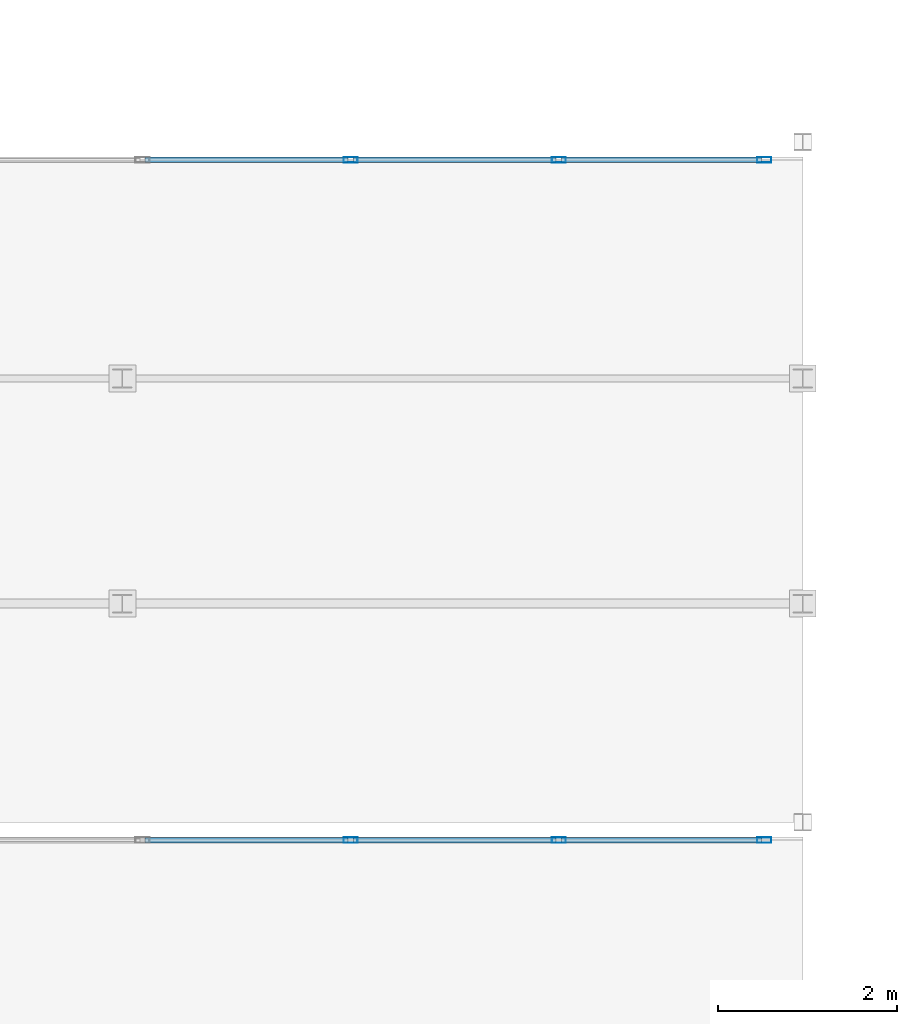
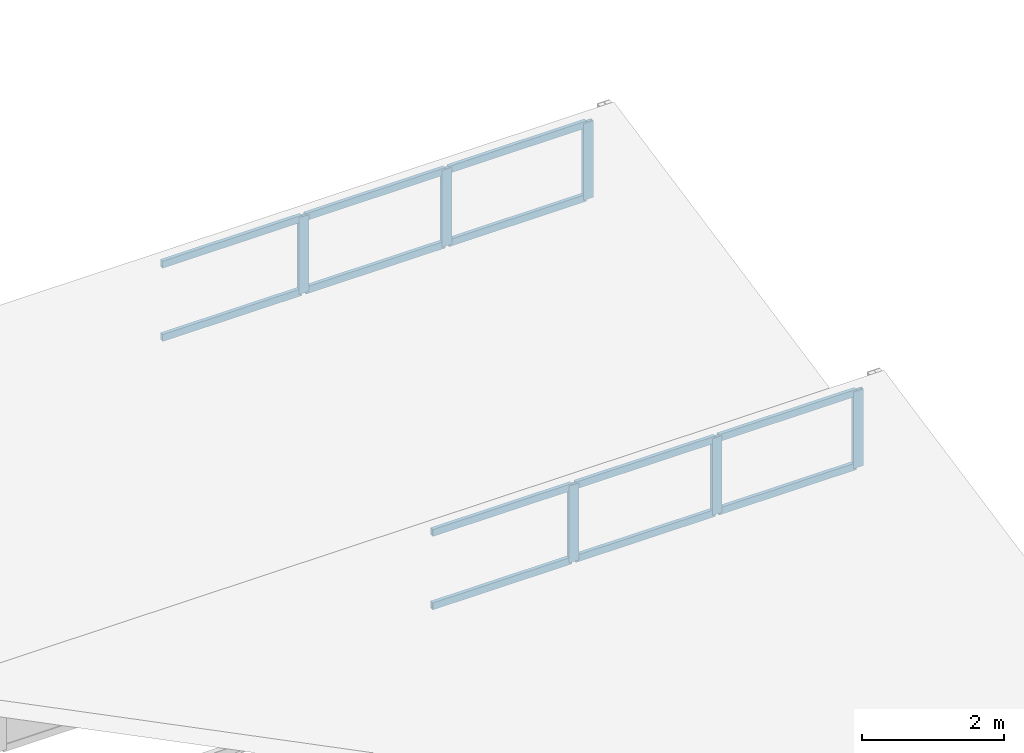
# One storey, part 26 of 114: 18 members, 2 elements without a shape of their own.
"""IFC4 building model written with IfcOpenShell, lengths in metres."""

import ifcopenshell
import ifcopenshell.guid

model = None  # the IFC model being written
_history = None  # IfcOwnerHistory: only IFC2X3 demands one
_inside = {}  # id of a spatial element -> (the spatial element, [elements in it])
_under = {}  # id of a project, library or spatial element -> (it, [spatial elements below it])
_declared = {}  # id of a project -> (the project, [libraries it declares])
_typed = {}  # id of a type object -> (the type object, [elements of that type])
_made_of = {}  # id of a material, layer set ... -> (it, [elements and type objects made of it])


def new_model(schema):
    """Start an empty IFC model of exactly this schema.

    Asked for "IFC4X3", IfcOpenShell would pick the latest addendum, in which some entities
    have other attributes; the version numbers below select the first issue.
    IFC2X3 requires an IfcOwnerHistory on every rooted entity: one is made here for all.
    """
    global model, _history
    if schema == "IFC4X3":
        model = ifcopenshell.file(schema_version=(4, 3, 0, 0))
    else:
        model = ifcopenshell.file(schema=schema)
    _inside.clear()
    _under.clear()
    _declared.clear()
    _typed.clear()
    _made_of.clear()
    _history = None
    if model.schema == "IFC2X3":
        org = make("IfcOrganization", Name="unknown")
        user = make(
            "IfcPersonAndOrganization",
            ThePerson=make("IfcPerson", FamilyName="unknown"),
            TheOrganization=org,
        )
        app = make(
            "IfcApplication",
            ApplicationDeveloper=org,
            Version="unknown",
            ApplicationFullName="unknown",
            ApplicationIdentifier="unknown",
        )
        _history = make(
            "IfcOwnerHistory",
            OwningUser=user,
            OwningApplication=app,
            ChangeAction="ADDED",
            CreationDate=0,
        )
    return model


def make(cls, **values):
    """One entity of the class cls with the attributes given. An attribute that is None is left unset."""
    return model.create_entity(
        cls, **{name: value for name, value in values.items() if value is not None}
    )


def rooted(cls, **values):
    """An entity with a GlobalId (a new one), such as an element, a storey or a relation."""
    return make(cls, GlobalId=ifcopenshell.guid.new(), OwnerHistory=_history, **values)


def si_unit(unit_type, name, prefix=None):
    """IfcSIUnit, for example si_unit("LENGTHUNIT", "METRE", prefix="MILLI")."""
    return make("IfcSIUnit", UnitType=unit_type, Prefix=prefix, Name=name)


def assignment(units):
    """IfcUnitAssignment: the units of a project."""
    return None if units is None else make("IfcUnitAssignment", Units=units)


def point(xyz):
    """IfcCartesianPoint."""
    return None if xyz is None else make("IfcCartesianPoint", Coordinates=xyz)


def direction(xyz):
    """IfcDirection."""
    return None if xyz is None else make("IfcDirection", DirectionRatios=xyz)


def frame(location, z_axis=None, x_axis=None):
    """IfcAxis2Placement3D, a coordinate frame: its origin and axes. An axis left out is left unset."""
    return make(
        "IfcAxis2Placement3D",
        Location=point(location),
        Axis=direction(z_axis),
        RefDirection=direction(x_axis),
    )


def frame_2d(location, x_axis=None):
    """IfcAxis2Placement2D, a coordinate frame in the plane: its origin and x axis."""
    return make(
        "IfcAxis2Placement2D", Location=point(location), RefDirection=direction(x_axis)
    )


def origin():
    """The frame at (0, 0, 0) with its axes left unset."""
    return frame((0.0, 0.0, 0.0))


def origin_2d():
    """The frame at (0, 0) in the plane with its x axis left unset."""
    return frame_2d((0.0, 0.0))


def place(relative_to, where):
    """IfcLocalPlacement: puts the frame where relative to a parent placement (None: the world)."""
    return make(
        "IfcLocalPlacement", PlacementRelTo=relative_to, RelativePlacement=where
    )


def context(
    kind, dimensions, precision=None, world=None, true_north=None, identifier=None
):
    """IfcGeometricRepresentationContext, for example the 3D "Model" context."""
    return make(
        "IfcGeometricRepresentationContext",
        ContextIdentifier=identifier,
        ContextType=kind,
        CoordinateSpaceDimension=dimensions,
        Precision=precision,
        WorldCoordinateSystem=world,
        TrueNorth=true_north,
    )


def subcontext(parent, identifier, kind, view, scale=None):
    """IfcGeometricRepresentationSubContext, for example "Body" below "Model"."""
    return make(
        "IfcGeometricRepresentationSubContext",
        ContextIdentifier=identifier,
        ContextType=kind,
        ParentContext=parent,
        TargetScale=scale,
        TargetView=view,
    )


def project(units=None, contexts=None):
    """IfcProject with its units and contexts."""
    return rooted(
        "IfcProject",
        Name="project",
        RepresentationContexts=contexts,
        UnitsInContext=assignment(units),
    )


def spatial(cls, under=None, at=None, **own):
    """A site, building, storey or space (cls), placed at a placement, below another one or the project."""
    s = rooted(cls, ObjectPlacement=at, **own)
    if under is not None:
        _under.setdefault(under.id(), (under, []))[1].append(s)
    return s


def profile(cls, at=None, kind="AREA", **sizes):
    """A parametric profile (cls). Its sizes go by their IFC names, for example OverallWidth=200.0."""
    return make(cls, ProfileType=kind, Position=at, **sizes)


def hollow_rectangle(**sizes):
    """IfcRectangleHollowProfileDef."""
    return profile("IfcRectangleHollowProfileDef", **sizes)


def extrude(swept, where, along, depth):
    """IfcExtrudedAreaSolid: the profile swept, set in the frame where, extruded along a direction by depth."""
    return make(
        "IfcExtrudedAreaSolid",
        SweptArea=swept,
        Position=where,
        ExtrudedDirection=direction(along),
        Depth=depth,
    )


def shape(context_of_items, identifier, shape_type, items):
    """IfcShapeRepresentation: the items that make up one representation, for example the "Body"."""
    return make(
        "IfcShapeRepresentation",
        ContextOfItems=context_of_items,
        RepresentationIdentifier=identifier,
        RepresentationType=shape_type,
        Items=items,
    )


def material(Name=None, Category=None):
    """IfcMaterial."""
    return make("IfcMaterial", Name=Name, Category=Category)


def layer(
    of_material, thickness, ventilated=None, Name=None, Category=None, Priority=None
):
    """IfcMaterialLayer: one layer of a wall or slab, of a material (None: an air gap)."""
    return make(
        "IfcMaterialLayer",
        Material=of_material,
        LayerThickness=thickness,
        IsVentilated=ventilated,
        Name=Name,
        Category=Category,
        Priority=Priority,
    )


def layer_set(layers, Name=None):
    """IfcMaterialLayerSet."""
    return make("IfcMaterialLayerSet", MaterialLayers=layers, LayerSetName=Name)


def material_profile(
    of_material, cross_section, Name=None, Category=None, Priority=None
):
    """IfcMaterialProfile: a cross section and its material."""
    return make(
        "IfcMaterialProfile",
        Name=Name,
        Material=of_material,
        Profile=cross_section,
        Priority=Priority,
        Category=Category,
    )


def profile_set(profiles, Name=None, composite=None):
    """IfcMaterialProfileSet."""
    return make(
        "IfcMaterialProfileSet",
        Name=Name,
        MaterialProfiles=profiles,
        CompositeProfile=composite,
    )


def made_of(thing, what):
    """Note that an element or type object is made of a material, layer set ...; save() writes the relation."""
    if what is not None:
        _made_of.setdefault(what.id(), (what, []))[1].append(thing)
    return thing


def type_object(cls, material=None, **own):
    """A type object (cls), such as IfcWallType, which elements share."""
    return made_of(rooted(cls, **own), material)


def element(
    cls,
    number,
    at=None,
    inside=None,
    cuts=None,
    type_object=None,
    material=None,
    context=None,
    identifier="Body",
    shape_type=None,
    held_by="IfcProductDefinitionShape",
    body=None,
    shapes=None,
    **own,
):
    """One element of the class cls, such as IfcWall. Its Tag is "e" and its number.

    at: its placement. inside: the storey or other place that contains it. cuts: it is an
    opening in that element (IfcRelVoidsElement). A single representation is given by context,
    identifier, shape_type and body (its items); several are given by shapes. held_by: the class
    of the entity that holds the representations. save() writes the other relations.
    """
    e = rooted(cls, Tag="e%d" % number, ObjectPlacement=at, **own)
    if body is not None:
        shapes = [shape(context, identifier, shape_type, body)]
    if shapes is not None:
        e.Representation = make(held_by, Representations=shapes)
    if inside is not None:
        _inside.setdefault(inside.id(), (inside, []))[1].append(e)
    if cuts is not None:
        rooted(
            "IfcRelVoidsElement", RelatingBuildingElement=cuts, RelatedOpeningElement=e
        )
    if type_object is not None:
        _typed.setdefault(type_object.id(), (type_object, []))[1].append(e)
    return made_of(e, material)


def aggregate(whole, parts):
    """IfcRelAggregates: a whole, such as a stair, and the parts it consists of."""
    return rooted("IfcRelAggregates", RelatingObject=whole, RelatedObjects=parts)


def save(model, path):
    """Write the relations noted so far, then the file.

    IfcRelAggregates (storeys below a building ...), IfcRelContainedInSpatialStructure (elements
    in a storey), IfcRelDefinesByType, IfcRelAssociatesMaterial and IfcRelDeclares: one each for
    every whole, place, type object, material and project.
    """
    for whole, parts in _under.values():
        aggregate(whole, parts)
    for where, things in _inside.values():
        rooted(
            "IfcRelContainedInSpatialStructure",
            RelatedElements=things,
            RelatingStructure=where,
        )
    for kind, things in _typed.values():
        rooted("IfcRelDefinesByType", RelatedObjects=things, RelatingType=kind)
    for what, things in _made_of.values():
        rooted("IfcRelAssociatesMaterial", RelatedObjects=things, RelatingMaterial=what)
    for by, libraries in _declared.values():
        rooted("IfcRelDeclares", RelatingContext=by, RelatedDefinitions=libraries)
    model.write(path)


model = new_model("IFC4")

# Units and contexts
model_context = context("Model", 3, precision=1e-05, world=origin(), true_north=direction((0.0, 1.0)))
body_context = subcontext(model_context, "Body", "Model", "MODEL_VIEW")
ifc_project = project(units=[si_unit("LENGTHUNIT", "METRE"), si_unit("AREAUNIT", "SQUARE_METRE"), si_unit("VOLUMEUNIT", "CUBIC_METRE"), si_unit("PLANEANGLEUNIT", "RADIAN"), si_unit("MASSUNIT", "GRAM", prefix="KILO")], contexts=[model_context])

# Site, building, storey
site_placement = place(None, origin())
site = spatial("IfcSite", under=ifc_project, at=site_placement, CompositionType="ELEMENT")
building_placement = place(site_placement, origin())
building = spatial("IfcBuilding", under=site, at=building_placement, Name="Montecoro Central Library", CompositionType="ELEMENT")
storey_placement = place(building_placement, frame((0.0, 0.0, 13.260009765625)))
storey = spatial("IfcBuildingStorey", under=building, at=storey_placement, Name="L03", CompositionType="ELEMENT", Elevation=13.260009765625)

# Curtain wall, members
ifc_material_1 = material(Name="Bronze-anodised aluminium and low-E glazing", Category="aluminium")
ifc_layer_1 = layer(ifc_material_1, 0.159912109375)
ifc_layer_set_1 = layer_set([ifc_layer_1], Name="Bronze-anodised aluminium and low-E glazing")
curtain_wall_type_1 = type_object("IfcCurtainWallType", Name="CWT-036", PredefinedType="NOTDEFINED", material=ifc_layer_set_1)
curtain_wall_1_placement = place(storey_placement, origin())
curtain_wall_1 = element("IfcCurtainWall", 1, at=curtain_wall_1_placement, inside=storey, type_object=curtain_wall_type_1, Name="V3-ROOF-SAWCW-1", PredefinedType="NOTDEFINED")
ifc_material_2 = material(Name="Bronze-anodised aluminium", Category="aluminium")
ifc_material_profile_1 = material_profile(ifc_material_2, hollow_rectangle(XDim=0.06005859375, YDim=0.159912109375, WallThickness=0.00390625, at=origin_2d()), Name="CWM 160x60x4.0")
ifc_profile_set_1 = profile_set([ifc_material_profile_1], Name="Bronze-anodised aluminium")
member_type_1 = type_object("IfcMemberType", Name="CWM-BRZ-60", PredefinedType="MULLION", material=ifc_profile_set_1)
member_1_placement = place(storey_placement, frame((37.949951171875, 27.60009765625, 0.0), z_axis=(0.0, 0.0, 1.0), x_axis=(0.0, 1.0, 0.0)))
member_1 = element("IfcMember", 2, at=member_1_placement, type_object=member_type_1, Name="CW-036 mullion 15", PredefinedType="MULLION", context=body_context, shape_type="SweptSolid", body=[
    extrude(hollow_rectangle(XDim=0.06005859375, YDim=0.159912109375, WallThickness=0.00390625, at=origin_2d()), origin(), (0.0, 0.0, 1.0), 1.320068359375),
])
member_2_placement = place(storey_placement, frame((40.27490234375, 27.60009765625, 0.0), z_axis=(0.0, 0.0, 1.0), x_axis=(0.0, 1.0, 0.0)))
member_2 = element("IfcMember", 3, at=member_2_placement, type_object=member_type_1, Name="CW-036 mullion 16", PredefinedType="MULLION", context=body_context, shape_type="SweptSolid", body=[
    extrude(hollow_rectangle(XDim=0.06005859375, YDim=0.159912109375, WallThickness=0.00390625, at=origin_2d()), origin(), (0.0, 0.0, 1.0), 1.320068359375),
])
member_3_placement = place(storey_placement, frame((42.570068359375, 27.60009765625, 0.0), z_axis=(0.0, 0.0, 1.0), x_axis=(0.0, 1.0, 0.0)))
member_3 = element("IfcMember", 4, at=member_3_placement, type_object=member_type_1, Name="CW-036 mullion 17", PredefinedType="MULLION", context=body_context, shape_type="SweptSolid", body=[
    extrude(hollow_rectangle(XDim=0.06005859375, YDim=0.159912109375, WallThickness=0.00390625, at=origin_2d()), origin(), (0.0, 0.0, 1.0), 1.320068359375),
])

ifc_layer_2 = layer(ifc_material_1, 0.159912109375)
ifc_layer_set_2 = layer_set([ifc_layer_2], Name="Bronze-anodised aluminium and low-E glazing")
curtain_wall_type_2 = type_object("IfcCurtainWallType", Name="CWT-037", PredefinedType="NOTDEFINED", material=ifc_layer_set_2)
curtain_wall_2_placement = place(storey_placement, origin())
curtain_wall_2 = element("IfcCurtainWall", 5, at=curtain_wall_2_placement, inside=storey, type_object=curtain_wall_type_2, Name="V3-ROOF-SAWCW-2", PredefinedType="NOTDEFINED")
member_4_placement = place(storey_placement, frame((37.949951171875, 35.199951171875, 0.0), z_axis=(0.0, 0.0, 1.0), x_axis=(0.0, 1.0, 0.0)))
member_4 = element("IfcMember", 6, at=member_4_placement, type_object=member_type_1, Name="CW-037 mullion 15", PredefinedType="MULLION", context=body_context, shape_type="SweptSolid", body=[
    extrude(hollow_rectangle(XDim=0.06005859375, YDim=0.159912109375, WallThickness=0.00390625, at=origin_2d()), origin(), (0.0, 0.0, 1.0), 1.320068359375),
])
member_5_placement = place(storey_placement, frame((40.27490234375, 35.199951171875, 0.0), z_axis=(0.0, 0.0, 1.0), x_axis=(0.0, 1.0, 0.0)))
member_5 = element("IfcMember", 7, at=member_5_placement, type_object=member_type_1, Name="CW-037 mullion 16", PredefinedType="MULLION", context=body_context, shape_type="SweptSolid", body=[
    extrude(hollow_rectangle(XDim=0.06005859375, YDim=0.159912109375, WallThickness=0.00390625, at=origin_2d()), origin(), (0.0, 0.0, 1.0), 1.320068359375),
])
member_6_placement = place(storey_placement, frame((42.570068359375, 35.199951171875, 0.0), z_axis=(0.0, 0.0, 1.0), x_axis=(0.0, 1.0, 0.0)))
member_6 = element("IfcMember", 8, at=member_6_placement, type_object=member_type_1, Name="CW-037 mullion 17", PredefinedType="MULLION", context=body_context, shape_type="SweptSolid", body=[
    extrude(hollow_rectangle(XDim=0.06005859375, YDim=0.159912109375, WallThickness=0.00390625, at=origin_2d()), origin(), (0.0, 0.0, 1.0), 1.320068359375),
])

# Member
ifc_material_profile_2 = material_profile(ifc_material_2, hollow_rectangle(XDim=0.06005859375, YDim=0.1201171875, WallThickness=0.00390625, at=origin_2d()), Name="CWT 120x60x4.0")
ifc_profile_set_2 = profile_set([ifc_material_profile_2], Name="Bronze-anodised aluminium")
member_type_2 = type_object("IfcMemberType", Name="CWT-BRZ-60", PredefinedType="USERDEFINED", material=ifc_profile_set_2)
member_7_placement = place(storey_placement, frame((35.655029296875, 27.60009765625, 0.030029296875), z_axis=(1.0, 0.0, 0.0), x_axis=(0.0, 1.0, 0.0)))
member_7 = element("IfcMember", 9, at=member_7_placement, type_object=member_type_2, Name="CW-036 transom 14.1", ObjectType="TRANSOM", PredefinedType="USERDEFINED", context=body_context, shape_type="SweptSolid", body=[
    extrude(hollow_rectangle(XDim=0.06005859375, YDim=0.1201171875, WallThickness=0.00390625, at=origin_2d()), origin(), (0.0, 0.0, 1.0), 2.264892578125),
])

member_8_placement = place(storey_placement, frame((35.655029296875, 27.60009765625, 1.2900390625), z_axis=(1.0, 0.0, 0.0), x_axis=(0.0, 1.0, 0.0)))
member_8 = element("IfcMember", 10, at=member_8_placement, type_object=member_type_2, Name="CW-036 transom 14.2", ObjectType="TRANSOM", PredefinedType="USERDEFINED", context=body_context, shape_type="SweptSolid", body=[
    extrude(hollow_rectangle(XDim=0.06005859375, YDim=0.1201171875, WallThickness=0.00390625, at=origin_2d()), origin(), (0.0, 0.0, 1.0), 2.264892578125),
])

member_9_placement = place(storey_placement, frame((37.97998046875, 27.60009765625, 0.030029296875), z_axis=(1.0, 0.0, 0.0), x_axis=(0.0, 1.0, 0.0)))
member_9 = element("IfcMember", 11, at=member_9_placement, type_object=member_type_2, Name="CW-036 transom 15.1", ObjectType="TRANSOM", PredefinedType="USERDEFINED", context=body_context, shape_type="SweptSolid", body=[
    extrude(hollow_rectangle(XDim=0.06005859375, YDim=0.1201171875, WallThickness=0.00390625, at=origin_2d()), origin(), (0.0, 0.0, 1.0), 2.26513671875),
])

member_10_placement = place(storey_placement, frame((37.97998046875, 27.60009765625, 1.2900390625), z_axis=(1.0, 0.0, 0.0), x_axis=(0.0, 1.0, 0.0)))
member_10 = element("IfcMember", 12, at=member_10_placement, type_object=member_type_2, Name="CW-036 transom 15.2", ObjectType="TRANSOM", PredefinedType="USERDEFINED", context=body_context, shape_type="SweptSolid", body=[
    extrude(hollow_rectangle(XDim=0.06005859375, YDim=0.1201171875, WallThickness=0.00390625, at=origin_2d()), origin(), (0.0, 0.0, 1.0), 2.26513671875),
])

member_11_placement = place(storey_placement, frame((40.304931640625, 27.60009765625, 0.030029296875), z_axis=(1.0, 0.0, 0.0), x_axis=(0.0, 1.0, 0.0)))
member_11 = element("IfcMember", 13, at=member_11_placement, type_object=member_type_2, Name="CW-036 transom 16.1", ObjectType="TRANSOM", PredefinedType="USERDEFINED", context=body_context, shape_type="SweptSolid", body=[
    extrude(hollow_rectangle(XDim=0.06005859375, YDim=0.1201171875, WallThickness=0.00390625, at=origin_2d()), origin(), (0.0, 0.0, 1.0), 2.235107421875),
])

member_12_placement = place(storey_placement, frame((40.304931640625, 27.60009765625, 1.2900390625), z_axis=(1.0, 0.0, 0.0), x_axis=(0.0, 1.0, 0.0)))
member_12 = element("IfcMember", 14, at=member_12_placement, type_object=member_type_2, Name="CW-036 transom 16.2", ObjectType="TRANSOM", PredefinedType="USERDEFINED", context=body_context, shape_type="SweptSolid", body=[
    extrude(hollow_rectangle(XDim=0.06005859375, YDim=0.1201171875, WallThickness=0.00390625, at=origin_2d()), origin(), (0.0, 0.0, 1.0), 2.235107421875),
])

aggregate(curtain_wall_1, [member_1, member_2, member_3, member_7, member_8, member_9, member_10, member_11, member_12])

member_13_placement = place(storey_placement, frame((35.655029296875, 35.199951171875, 0.030029296875), z_axis=(1.0, 0.0, 0.0), x_axis=(0.0, 1.0, 0.0)))
member_13 = element("IfcMember", 15, at=member_13_placement, type_object=member_type_2, Name="CW-037 transom 14.1", ObjectType="TRANSOM", PredefinedType="USERDEFINED", context=body_context, shape_type="SweptSolid", body=[
    extrude(hollow_rectangle(XDim=0.06005859375, YDim=0.1201171875, WallThickness=0.00390625, at=origin_2d()), origin(), (0.0, 0.0, 1.0), 2.264892578125),
])

member_14_placement = place(storey_placement, frame((35.655029296875, 35.199951171875, 1.2900390625), z_axis=(1.0, 0.0, 0.0), x_axis=(0.0, 1.0, 0.0)))
member_14 = element("IfcMember", 16, at=member_14_placement, type_object=member_type_2, Name="CW-037 transom 14.2", ObjectType="TRANSOM", PredefinedType="USERDEFINED", context=body_context, shape_type="SweptSolid", body=[
    extrude(hollow_rectangle(XDim=0.06005859375, YDim=0.1201171875, WallThickness=0.00390625, at=origin_2d()), origin(), (0.0, 0.0, 1.0), 2.264892578125),
])

member_15_placement = place(storey_placement, frame((37.97998046875, 35.199951171875, 0.030029296875), z_axis=(1.0, 0.0, 0.0), x_axis=(0.0, 1.0, 0.0)))
member_15 = element("IfcMember", 17, at=member_15_placement, type_object=member_type_2, Name="CW-037 transom 15.1", ObjectType="TRANSOM", PredefinedType="USERDEFINED", context=body_context, shape_type="SweptSolid", body=[
    extrude(hollow_rectangle(XDim=0.06005859375, YDim=0.1201171875, WallThickness=0.00390625, at=origin_2d()), origin(), (0.0, 0.0, 1.0), 2.26513671875),
])

member_16_placement = place(storey_placement, frame((37.97998046875, 35.199951171875, 1.2900390625), z_axis=(1.0, 0.0, 0.0), x_axis=(0.0, 1.0, 0.0)))
member_16 = element("IfcMember", 18, at=member_16_placement, type_object=member_type_2, Name="CW-037 transom 15.2", ObjectType="TRANSOM", PredefinedType="USERDEFINED", context=body_context, shape_type="SweptSolid", body=[
    extrude(hollow_rectangle(XDim=0.06005859375, YDim=0.1201171875, WallThickness=0.00390625, at=origin_2d()), origin(), (0.0, 0.0, 1.0), 2.26513671875),
])

member_17_placement = place(storey_placement, frame((40.304931640625, 35.199951171875, 0.030029296875), z_axis=(1.0, 0.0, 0.0), x_axis=(0.0, 1.0, 0.0)))
member_17 = element("IfcMember", 19, at=member_17_placement, type_object=member_type_2, Name="CW-037 transom 16.1", ObjectType="TRANSOM", PredefinedType="USERDEFINED", context=body_context, shape_type="SweptSolid", body=[
    extrude(hollow_rectangle(XDim=0.06005859375, YDim=0.1201171875, WallThickness=0.00390625, at=origin_2d()), origin(), (0.0, 0.0, 1.0), 2.235107421875),
])

member_18_placement = place(storey_placement, frame((40.304931640625, 35.199951171875, 1.2900390625), z_axis=(1.0, 0.0, 0.0), x_axis=(0.0, 1.0, 0.0)))
member_18 = element("IfcMember", 20, at=member_18_placement, type_object=member_type_2, Name="CW-037 transom 16.2", ObjectType="TRANSOM", PredefinedType="USERDEFINED", context=body_context, shape_type="SweptSolid", body=[
    extrude(hollow_rectangle(XDim=0.06005859375, YDim=0.1201171875, WallThickness=0.00390625, at=origin_2d()), origin(), (0.0, 0.0, 1.0), 2.235107421875),
])

aggregate(curtain_wall_2, [member_4, member_5, member_6, member_13, member_14, member_15, member_16, member_17, member_18])

save(model, "model.ifc")
